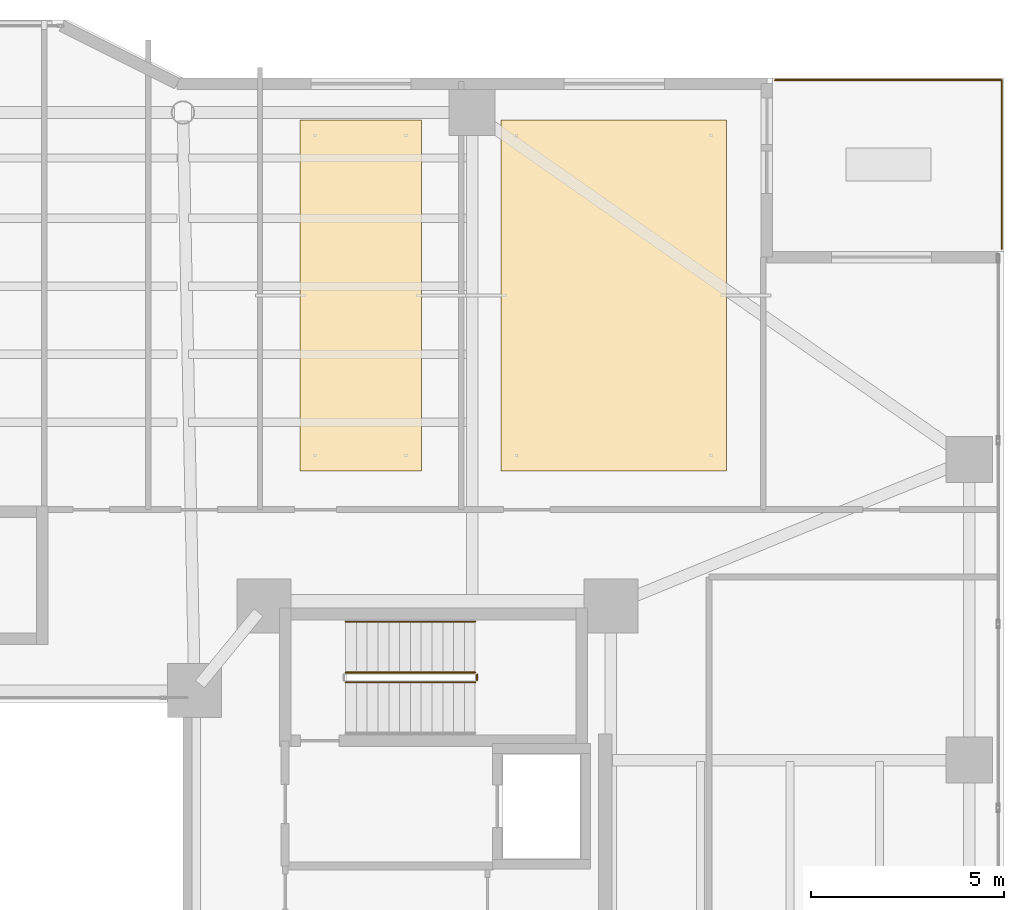
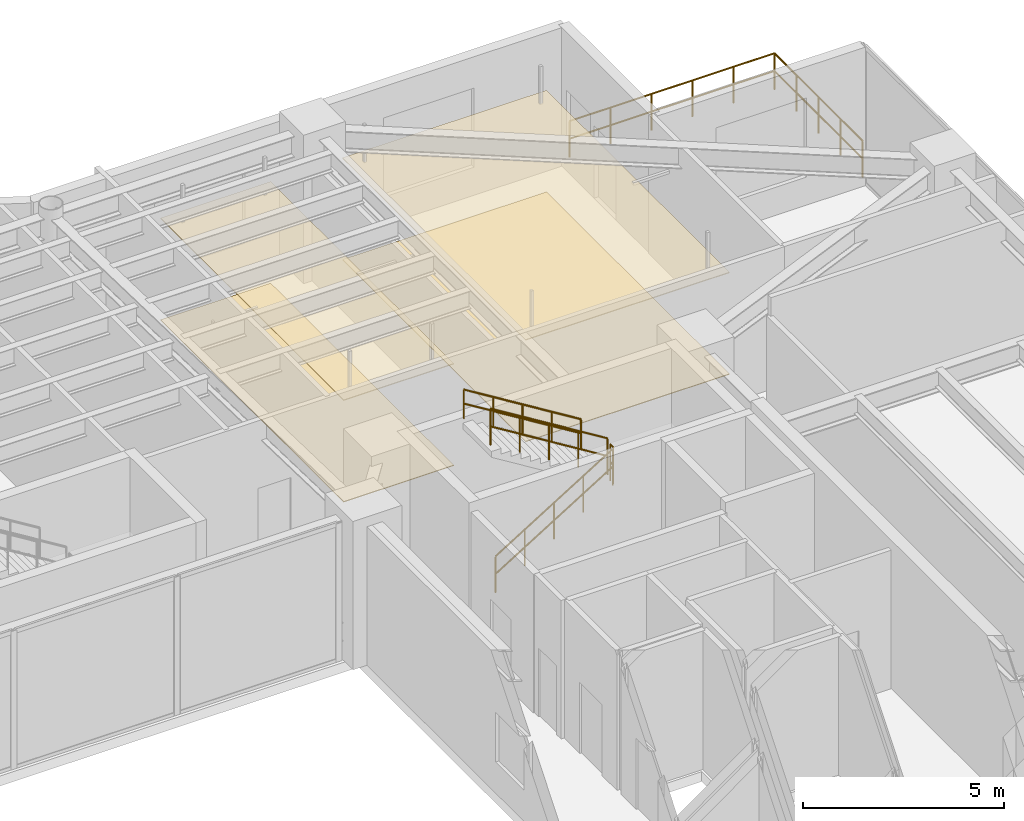
# One storey, part 39 of 39: 6 railings, 4 coverings.
"""IFC4 building model written with IfcOpenShell, lengths in metres."""

from ifc_helpers import new_model, si_unit, direction, frame, origin, origin_2d, place, context, subcontext, project, spatial, polyline, circle, outline, extrude, material, layer, layer_set, type_object, element, save


model = new_model("IFC4")

# Units and contexts
model_context = context("Model", 3, precision=1e-05, world=origin(), true_north=direction((0.0, 1.0)))
body_context = subcontext(model_context, "Body", "Model", "MODEL_VIEW")
ifc_project = project(units=[si_unit("LENGTHUNIT", "METRE"), si_unit("AREAUNIT", "SQUARE_METRE"), si_unit("VOLUMEUNIT", "CUBIC_METRE"), si_unit("PLANEANGLEUNIT", "RADIAN"), si_unit("MASSUNIT", "GRAM", prefix="KILO")], contexts=[model_context])

# Site, building, storey
site_placement = place(None, origin())
site = spatial("IfcSite", under=ifc_project, at=site_placement, CompositionType="ELEMENT")
building_placement = place(site_placement, origin())
building = spatial("IfcBuilding", under=site, at=building_placement, Name="Tarnavaz Court Tower", CompositionType="ELEMENT")
storey_placement = place(building_placement, frame((0.0, 0.0, 68.699951171875)))
storey = spatial("IfcBuildingStorey", under=building, at=storey_placement, Name="L18", CompositionType="ELEMENT", Elevation=68.699951171875)

# Coverings
ifc_material_1 = material(Name="Perforated Gypsum Acoustic Ceiling Tile", Category="masonry")
ifc_layer_1 = layer(ifc_material_1, 0.02490234375)
ifc_layer_set_1 = layer_set([ifc_layer_1], Name="Perforated Gypsum Acoustic Ceiling Tile")
covering_type_1 = type_object("IfcCoveringType", Name="CV-CEIL-AC", PredefinedType="CEILING", material=ifc_layer_set_1)
covering_1_placement = place(storey_placement, frame((0.0, 0.0, 3.080078125)))
element("IfcCovering", 1, at=covering_1_placement, inside=storey, type_object=covering_type_1, Name="L18 Community Seminar Meeting Room Suspended Acoustic Ceiling", PredefinedType="CEILING", context=body_context, shape_type="SweptSolid", body=[
    extrude(outline(polyline([(10.530029296875, 13.5), (13.68994140625, 13.5), (13.68994140625, 22.60009765625), (10.530029296875, 22.60009765625), (10.530029296875, 13.5)])), origin(), (0.0, 0.0, 1.0), 0.02490234375),
])
covering_2_placement = place(storey_placement, frame((0.0, 0.0, 3.080078125)))
element("IfcCovering", 2, at=covering_2_placement, inside=storey, type_object=covering_type_1, Name="L18 Community Multipurpose Banquet Hall Suspended Acoustic Ceiling", PredefinedType="CEILING", context=body_context, shape_type="SweptSolid", body=[
    extrude(outline(polyline([(15.75, 13.5), (21.60009765625, 13.5), (21.60009765625, 22.60009765625), (15.75, 22.60009765625), (15.75, 13.5)])), origin(), (0.0, 0.0, 1.0), 0.02490234375),
])
ifc_material_2 = material(Name="Glazed Khorasan Porcelain Floor Tile", Category="masonry")
ifc_layer_2 = layer(ifc_material_2, 0.02001953125)
ifc_layer_set_2 = layer_set([ifc_layer_2], Name="Glazed Khorasan Porcelain Floor Tile")
covering_type_2 = type_object("IfcCoveringType", Name="CV-FLR-PORC", PredefinedType="FLOORING", material=ifc_layer_set_2)
covering_3_placement = place(storey_placement, origin())
element("IfcCovering", 3, at=covering_3_placement, inside=storey, type_object=covering_type_2, Name="L18 Community Seminar Meeting Room Porcelain Floor Finish", PredefinedType="FLOORING", context=body_context, shape_type="SweptSolid", body=[
    extrude(outline(polyline([(10.530029296875, 13.5), (13.68994140625, 13.5), (13.68994140625, 22.60009765625), (10.530029296875, 22.60009765625), (10.530029296875, 13.5)])), origin(), (0.0, 0.0, 1.0), 0.02001953125),
])
covering_4_placement = place(storey_placement, origin())
element("IfcCovering", 4, at=covering_4_placement, inside=storey, type_object=covering_type_2, Name="L18 Community Multipurpose Banquet Hall Porcelain Floor Finish", PredefinedType="FLOORING", context=body_context, shape_type="SweptSolid", body=[
    extrude(outline(polyline([(15.75, 13.5), (21.60009765625, 13.5), (21.60009765625, 22.60009765625), (15.75, 22.60009765625), (15.75, 13.5)])), origin(), (0.0, 0.0, 1.0), 0.02001953125),
])

# Railings
ifc_material_3 = material(Name="Anodised Aluminium 6063-T6 and Laminated Safety Glass", Category="aluminium")
railing_type_1 = type_object("IfcRailingType", Name="RL-BAL-1120", PredefinedType="BALUSTRADE", material=ifc_material_3)
railing_1_placement = place(storey_placement, frame((28.739990234375, 19.260009765625, 0.0)))
element("IfcRailing", 5, at=railing_1_placement, inside=storey, type_object=railing_type_1, Name="L18 Terrace 1 E Perimeter Balustrade", PredefinedType="BALUSTRADE", context=body_context, shape_type="SweptSolid", body=[
    extrude(circle(Radius=0.02392578125, at=origin_2d()), frame((0.0, 0.0, 1.09619140625), z_axis=(0.0, 1.0, 0.0), x_axis=(-1.0, 0.0, 0.0)), (0.0, 0.0, 1.0), 4.3798828125),
    extrude(circle(Radius=0.02392578125, at=origin_2d()), frame((0.0, 0.0, 0.56005859375), z_axis=(0.0, 1.0, 0.0), x_axis=(-1.0, 0.0, 0.0)), (0.0, 0.0, 1.0), 4.3798828125),
    extrude(circle(Radius=0.02099609375, at=origin_2d()), origin(), (0.0, 0.0, 1.0), 1.072021484375),
    extrude(circle(Radius=0.02099609375, at=origin_2d()), frame((0.0, 1.094970703125, 0.0)), (0.0, 0.0, 1.0), 1.072021484375),
    extrude(circle(Radius=0.02099609375, at=origin_2d()), frame((0.0, 2.18994140625, 0.0)), (0.0, 0.0, 1.0), 1.072021484375),
    extrude(circle(Radius=0.02099609375, at=origin_2d()), frame((0.0, 3.284912109375, 0.0)), (0.0, 0.0, 1.0), 1.072021484375),
    extrude(circle(Radius=0.02099609375, at=origin_2d()), frame((0.0, 4.3798828125, 0.0)), (0.0, 0.0, 1.0), 1.072021484375),
])
railing_2_placement = place(storey_placement, frame((28.739990234375, 23.639892578125, 0.0)))
element("IfcRailing", 6, at=railing_2_placement, inside=storey, type_object=railing_type_1, Name="L18 Terrace 1 N Perimeter Balustrade", PredefinedType="BALUSTRADE", context=body_context, shape_type="SweptSolid", body=[
    extrude(circle(Radius=0.02392578125, at=origin_2d()), frame((0.0, 0.0, 1.09619140625), z_axis=(-1.0, 0.0, 0.0), x_axis=(0.0, -1.0, 0.0)), (0.0, 0.0, 1.0), 5.8798828125),
    extrude(circle(Radius=0.02392578125, at=origin_2d()), frame((0.0, 0.0, 0.56005859375), z_axis=(-1.0, 0.0, 0.0), x_axis=(0.0, -1.0, 0.0)), (0.0, 0.0, 1.0), 5.8798828125),
    extrude(circle(Radius=0.02099609375, at=origin_2d()), origin(), (0.0, 0.0, 1.0), 1.072021484375),
    extrude(circle(Radius=0.02099609375, at=origin_2d()), frame((-1.176025390625, 0.0, 0.0)), (0.0, 0.0, 1.0), 1.072021484375),
    extrude(circle(Radius=0.02099609375, at=origin_2d()), frame((-2.35205078125, 0.0, 0.0)), (0.0, 0.0, 1.0), 1.072021484375),
    extrude(circle(Radius=0.02099609375, at=origin_2d()), frame((-3.52783203125, 0.0, 0.0)), (0.0, 0.0, 1.0), 1.072021484375),
    extrude(circle(Radius=0.02099609375, at=origin_2d()), frame((-4.703857421875, 0.0, 0.0)), (0.0, 0.0, 1.0), 1.072021484375),
    extrude(circle(Radius=0.02099609375, at=origin_2d()), frame((-5.8798828125, 0.0, 0.0)), (0.0, 0.0, 1.0), 1.072021484375),
])
ifc_material_4 = material(Name="Brushed Stainless Steel", Category="steel")
railing_type_2 = type_object("IfcRailingType", Name="RL-HANDRAIL-900", PredefinedType="HANDRAIL", material=ifc_material_4)
railing_3_placement = place(storey_placement, frame((15.080078125, 9.590087890625, 2.423095703125)))
element("IfcRailing", 7, at=railing_3_placement, inside=storey, type_object=railing_type_2, Name="L18 ST-E1 stair handrail 2", PredefinedType="HANDRAIL", context=body_context, shape_type="SweptSolid", body=[
    extrude(circle(Radius=0.02392578125, at=origin_2d()), frame((0.0, 0.0, 0.8759765625), z_axis=(-0.850623216509, 0.0, 0.525775754039), x_axis=(0.0, -1.0, 0.0)), (0.0, 0.0, 1.0), 3.9501953125),
    extrude(circle(Radius=0.02392578125, at=origin_2d()), frame((0.0, 0.0, 0.449951171875), z_axis=(-0.850623216509, 0.0, 0.525775754039), x_axis=(0.0, -1.0, 0.0)), (0.0, 0.0, 1.0), 3.9501953125),
    extrude(circle(Radius=0.02099609375, at=origin_2d()), origin(), (0.0, 0.0, 1.0), 0.851806640625),
    extrude(circle(Radius=0.02099609375, at=origin_2d()), frame((-0.840087890625, 0.0, 0.519287109375)), (0.0, 0.0, 1.0), 0.851806640625),
    extrude(circle(Radius=0.02099609375, at=origin_2d()), frame((-1.68017578125, 0.0, 1.03857421875)), (0.0, 0.0, 1.0), 0.851806640625),
    extrude(circle(Radius=0.02099609375, at=origin_2d()), frame((-2.52001953125, 0.0, 1.5576171875)), (0.0, 0.0, 1.0), 0.851806640625),
    extrude(circle(Radius=0.02099609375, at=origin_2d()), frame((-3.360107421875, 0.0, 2.076904296875)), (0.0, 0.0, 1.0), 0.851806640625),
])
ifc_material_5 = material(Name="Galvanized Painted Tubular Steel", Category="steel")
railing_type_3 = type_object("IfcRailingType", Name="RL-STGUARD-1120", PredefinedType="GUARDRAIL", material=ifc_material_5)
railing_4_placement = place(storey_placement, frame((11.719970703125, 8.02001953125, 0.173095703125)))
element("IfcRailing", 8, at=railing_4_placement, inside=storey, type_object=railing_type_3, Name="L18 ST-E1 stair guard 1", PredefinedType="GUARDRAIL", context=body_context, shape_type="SweptSolid", body=[
    extrude(circle(Radius=0.02392578125, at=origin_2d()), frame((0.0, 0.0, 1.09619140625), z_axis=(0.850623216509, 0.0, 0.525775754039), x_axis=(0.0, 1.0, 0.0)), (0.0, 0.0, 1.0), 3.9501953125),
    extrude(circle(Radius=0.02392578125, at=origin_2d()), frame((0.0, 0.0, 0.56005859375), z_axis=(0.850623216509, 0.0, 0.525775754039), x_axis=(0.0, 1.0, 0.0)), (0.0, 0.0, 1.0), 3.9501953125),
    extrude(circle(Radius=0.02099609375, at=origin_2d()), origin(), (0.0, 0.0, 1.0), 1.072021484375),
    extrude(circle(Radius=0.02099609375, at=origin_2d()), frame((0.840087890625, 0.0, 0.519287109375)), (0.0, 0.0, 1.0), 1.072021484375),
    extrude(circle(Radius=0.02099609375, at=origin_2d()), frame((1.68017578125, 0.0, 1.03857421875)), (0.0, 0.0, 1.0), 1.072021484375),
    extrude(circle(Radius=0.02099609375, at=origin_2d()), frame((2.52001953125, 0.0, 1.5576171875)), (0.0, 0.0, 1.0), 1.072021484375),
    extrude(circle(Radius=0.02099609375, at=origin_2d()), frame((3.360107421875, 0.0, 2.076904296875)), (0.0, 0.0, 1.0), 1.072021484375),
])
railing_5_placement = place(storey_placement, frame((15.1298828125, 8.070068359375, 2.25)))
element("IfcRailing", 9, at=railing_5_placement, inside=storey, type_object=railing_type_3, Name="L18 ST-E1 stair guard 2", PredefinedType="GUARDRAIL", context=body_context, shape_type="SweptSolid", body=[
    extrude(circle(Radius=0.02392578125, at=origin_2d()), frame((0.0, 0.0, 1.09619140625), z_axis=(0.0, 1.0, 0.0), x_axis=(-1.0, 0.0, 0.0)), (0.0, 0.0, 1.0), 0.14990234375),
    extrude(circle(Radius=0.02392578125, at=origin_2d()), frame((0.0, 0.0, 0.56005859375), z_axis=(0.0, 1.0, 0.0), x_axis=(-1.0, 0.0, 0.0)), (0.0, 0.0, 1.0), 0.14990234375),
    extrude(circle(Radius=0.02099609375, at=origin_2d()), origin(), (0.0, 0.0, 1.0), 1.072021484375),
    extrude(circle(Radius=0.02099609375, at=origin_2d()), frame((0.0, 0.14990234375, 0.0)), (0.0, 0.0, 1.0), 1.072021484375),
])
railing_6_placement = place(storey_placement, frame((15.080078125, 8.27001953125, 2.423095703125)))
element("IfcRailing", 10, at=railing_6_placement, inside=storey, type_object=railing_type_3, Name="L18 ST-E1 stair guard 3", PredefinedType="GUARDRAIL", context=body_context, shape_type="SweptSolid", body=[
    extrude(circle(Radius=0.02392578125, at=origin_2d()), frame((0.0, 0.0, 1.09619140625), z_axis=(-0.850623216509, 0.0, 0.525775754039), x_axis=(0.0, -1.0, 0.0)), (0.0, 0.0, 1.0), 3.9501953125),
    extrude(circle(Radius=0.02392578125, at=origin_2d()), frame((0.0, 0.0, 0.56005859375), z_axis=(-0.850623216509, 0.0, 0.525775754039), x_axis=(0.0, -1.0, 0.0)), (0.0, 0.0, 1.0), 3.9501953125),
    extrude(circle(Radius=0.02099609375, at=origin_2d()), origin(), (0.0, 0.0, 1.0), 1.072021484375),
    extrude(circle(Radius=0.02099609375, at=origin_2d()), frame((-0.840087890625, 0.0, 0.519287109375)), (0.0, 0.0, 1.0), 1.072021484375),
    extrude(circle(Radius=0.02099609375, at=origin_2d()), frame((-1.68017578125, 0.0, 1.03857421875)), (0.0, 0.0, 1.0), 1.072021484375),
    extrude(circle(Radius=0.02099609375, at=origin_2d()), frame((-2.52001953125, 0.0, 1.5576171875)), (0.0, 0.0, 1.0), 1.072021484375),
    extrude(circle(Radius=0.02099609375, at=origin_2d()), frame((-3.360107421875, 0.0, 2.076904296875)), (0.0, 0.0, 1.0), 1.072021484375),
])

save(model, "model.ifc")
